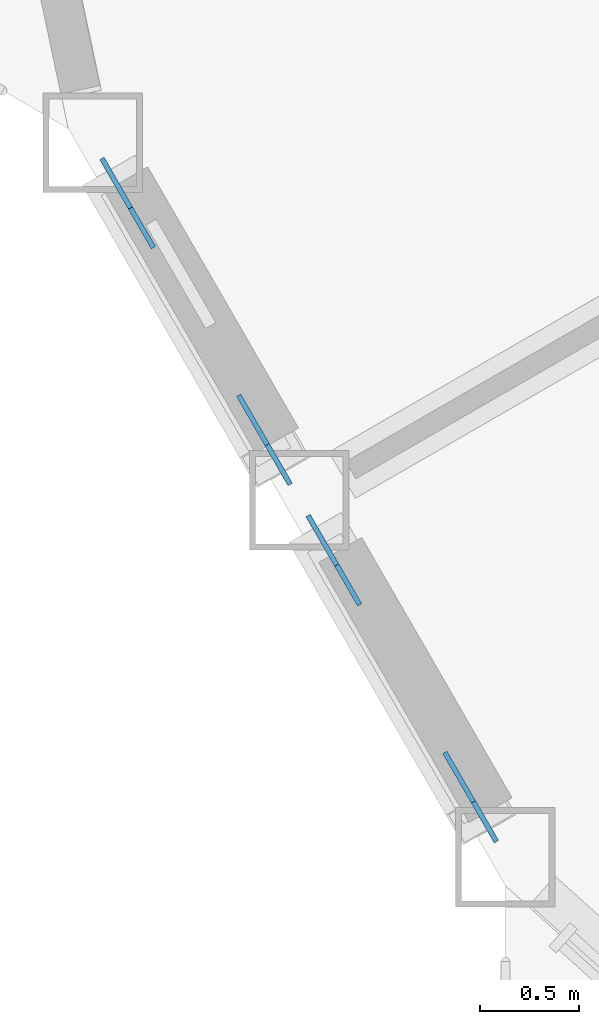
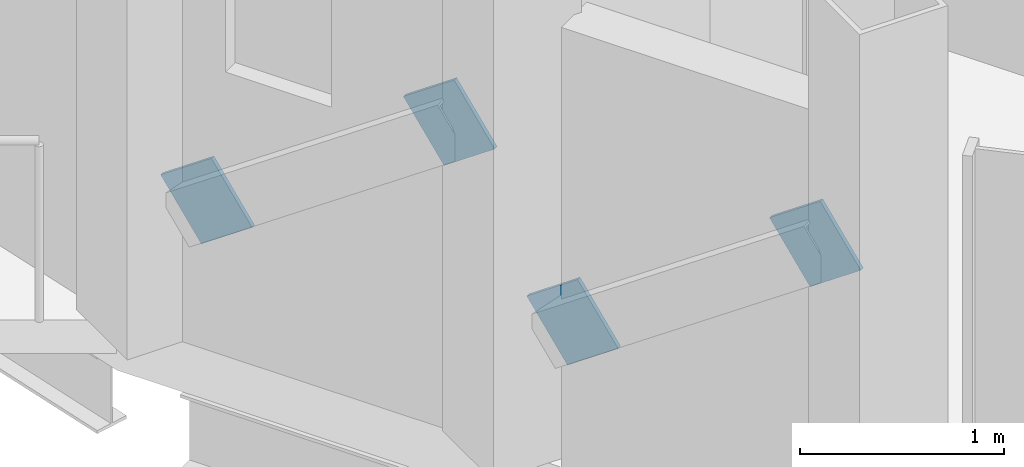
# One storey, part 19 of 26: 4 discrete accessories.
"""IFC4 building model written with IfcOpenShell, lengths in metres."""

import ifcopenshell
import ifcopenshell.guid

model = None  # the IFC model being written
_history = None  # IfcOwnerHistory: only IFC2X3 demands one
_inside = {}  # id of a spatial element -> (the spatial element, [elements in it])
_under = {}  # id of a project, library or spatial element -> (it, [spatial elements below it])
_declared = {}  # id of a project -> (the project, [libraries it declares])
_typed = {}  # id of a type object -> (the type object, [elements of that type])
_made_of = {}  # id of a material, layer set ... -> (it, [elements and type objects made of it])


def new_model(schema):
    """Start an empty IFC model of exactly this schema.

    Asked for "IFC4X3", IfcOpenShell would pick the latest addendum, in which some entities
    have other attributes; the version numbers below select the first issue.
    IFC2X3 requires an IfcOwnerHistory on every rooted entity: one is made here for all.
    """
    global model, _history
    if schema == "IFC4X3":
        model = ifcopenshell.file(schema_version=(4, 3, 0, 0))
    else:
        model = ifcopenshell.file(schema=schema)
    _inside.clear()
    _under.clear()
    _declared.clear()
    _typed.clear()
    _made_of.clear()
    _history = None
    if model.schema == "IFC2X3":
        org = make("IfcOrganization", Name="unknown")
        user = make(
            "IfcPersonAndOrganization",
            ThePerson=make("IfcPerson", FamilyName="unknown"),
            TheOrganization=org,
        )
        app = make(
            "IfcApplication",
            ApplicationDeveloper=org,
            Version="unknown",
            ApplicationFullName="unknown",
            ApplicationIdentifier="unknown",
        )
        _history = make(
            "IfcOwnerHistory",
            OwningUser=user,
            OwningApplication=app,
            ChangeAction="ADDED",
            CreationDate=0,
        )
    return model


def make(cls, **values):
    """One entity of the class cls with the attributes given. An attribute that is None is left unset."""
    return model.create_entity(
        cls, **{name: value for name, value in values.items() if value is not None}
    )


def rooted(cls, **values):
    """An entity with a GlobalId (a new one), such as an element, a storey or a relation."""
    return make(cls, GlobalId=ifcopenshell.guid.new(), OwnerHistory=_history, **values)


def si_unit(unit_type, name, prefix=None):
    """IfcSIUnit, for example si_unit("LENGTHUNIT", "METRE", prefix="MILLI")."""
    return make("IfcSIUnit", UnitType=unit_type, Prefix=prefix, Name=name)


def assignment(units):
    """IfcUnitAssignment: the units of a project."""
    return None if units is None else make("IfcUnitAssignment", Units=units)


def point(xyz):
    """IfcCartesianPoint."""
    return None if xyz is None else make("IfcCartesianPoint", Coordinates=xyz)


def direction(xyz):
    """IfcDirection."""
    return None if xyz is None else make("IfcDirection", DirectionRatios=xyz)


def frame(location, z_axis=None, x_axis=None):
    """IfcAxis2Placement3D, a coordinate frame: its origin and axes. An axis left out is left unset."""
    return make(
        "IfcAxis2Placement3D",
        Location=point(location),
        Axis=direction(z_axis),
        RefDirection=direction(x_axis),
    )


def frame_2d(location, x_axis=None):
    """IfcAxis2Placement2D, a coordinate frame in the plane: its origin and x axis."""
    return make(
        "IfcAxis2Placement2D", Location=point(location), RefDirection=direction(x_axis)
    )


def origin():
    """The frame at (0, 0, 0) with its axes left unset."""
    return frame((0.0, 0.0, 0.0))


def origin_2d():
    """The frame at (0, 0) in the plane with its x axis left unset."""
    return frame_2d((0.0, 0.0))


def place(relative_to, where):
    """IfcLocalPlacement: puts the frame where relative to a parent placement (None: the world)."""
    return make(
        "IfcLocalPlacement", PlacementRelTo=relative_to, RelativePlacement=where
    )


def context(
    kind, dimensions, precision=None, world=None, true_north=None, identifier=None
):
    """IfcGeometricRepresentationContext, for example the 3D "Model" context."""
    return make(
        "IfcGeometricRepresentationContext",
        ContextIdentifier=identifier,
        ContextType=kind,
        CoordinateSpaceDimension=dimensions,
        Precision=precision,
        WorldCoordinateSystem=world,
        TrueNorth=true_north,
    )


def subcontext(parent, identifier, kind, view, scale=None):
    """IfcGeometricRepresentationSubContext, for example "Body" below "Model"."""
    return make(
        "IfcGeometricRepresentationSubContext",
        ContextIdentifier=identifier,
        ContextType=kind,
        ParentContext=parent,
        TargetScale=scale,
        TargetView=view,
    )


def project(units=None, contexts=None):
    """IfcProject with its units and contexts."""
    return rooted(
        "IfcProject",
        Name="project",
        RepresentationContexts=contexts,
        UnitsInContext=assignment(units),
    )


def spatial(cls, under=None, at=None, **own):
    """A site, building, storey or space (cls), placed at a placement, below another one or the project."""
    s = rooted(cls, ObjectPlacement=at, **own)
    if under is not None:
        _under.setdefault(under.id(), (under, []))[1].append(s)
    return s


def profile(cls, at=None, kind="AREA", **sizes):
    """A parametric profile (cls). Its sizes go by their IFC names, for example OverallWidth=200.0."""
    return make(cls, ProfileType=kind, Position=at, **sizes)


def rectangle(**sizes):
    """IfcRectangleProfileDef."""
    return profile("IfcRectangleProfileDef", **sizes)


def extrude(swept, where, along, depth):
    """IfcExtrudedAreaSolid: the profile swept, set in the frame where, extruded along a direction by depth."""
    return make(
        "IfcExtrudedAreaSolid",
        SweptArea=swept,
        Position=where,
        ExtrudedDirection=direction(along),
        Depth=depth,
    )


def shape(context_of_items, identifier, shape_type, items):
    """IfcShapeRepresentation: the items that make up one representation, for example the "Body"."""
    return make(
        "IfcShapeRepresentation",
        ContextOfItems=context_of_items,
        RepresentationIdentifier=identifier,
        RepresentationType=shape_type,
        Items=items,
    )


def material(Name=None, Category=None):
    """IfcMaterial."""
    return make("IfcMaterial", Name=Name, Category=Category)


def material_profile(
    of_material, cross_section, Name=None, Category=None, Priority=None
):
    """IfcMaterialProfile: a cross section and its material."""
    return make(
        "IfcMaterialProfile",
        Name=Name,
        Material=of_material,
        Profile=cross_section,
        Priority=Priority,
        Category=Category,
    )


def profile_set(profiles, Name=None, composite=None):
    """IfcMaterialProfileSet."""
    return make(
        "IfcMaterialProfileSet",
        Name=Name,
        MaterialProfiles=profiles,
        CompositeProfile=composite,
    )


def made_of(thing, what):
    """Note that an element or type object is made of a material, layer set ...; save() writes the relation."""
    if what is not None:
        _made_of.setdefault(what.id(), (what, []))[1].append(thing)
    return thing


def type_object(cls, material=None, **own):
    """A type object (cls), such as IfcWallType, which elements share."""
    return made_of(rooted(cls, **own), material)


def element(
    cls,
    number,
    at=None,
    inside=None,
    cuts=None,
    type_object=None,
    material=None,
    context=None,
    identifier="Body",
    shape_type=None,
    held_by="IfcProductDefinitionShape",
    body=None,
    shapes=None,
    **own,
):
    """One element of the class cls, such as IfcWall. Its Tag is "e" and its number.

    at: its placement. inside: the storey or other place that contains it. cuts: it is an
    opening in that element (IfcRelVoidsElement). A single representation is given by context,
    identifier, shape_type and body (its items); several are given by shapes. held_by: the class
    of the entity that holds the representations. save() writes the other relations.
    """
    e = rooted(cls, Tag="e%d" % number, ObjectPlacement=at, **own)
    if body is not None:
        shapes = [shape(context, identifier, shape_type, body)]
    if shapes is not None:
        e.Representation = make(held_by, Representations=shapes)
    if inside is not None:
        _inside.setdefault(inside.id(), (inside, []))[1].append(e)
    if cuts is not None:
        rooted(
            "IfcRelVoidsElement", RelatingBuildingElement=cuts, RelatedOpeningElement=e
        )
    if type_object is not None:
        _typed.setdefault(type_object.id(), (type_object, []))[1].append(e)
    return made_of(e, material)


def aggregate(whole, parts):
    """IfcRelAggregates: a whole, such as a stair, and the parts it consists of."""
    return rooted("IfcRelAggregates", RelatingObject=whole, RelatedObjects=parts)


def save(model, path):
    """Write the relations noted so far, then the file.

    IfcRelAggregates (storeys below a building ...), IfcRelContainedInSpatialStructure (elements
    in a storey), IfcRelDefinesByType, IfcRelAssociatesMaterial and IfcRelDeclares: one each for
    every whole, place, type object, material and project.
    """
    for whole, parts in _under.values():
        aggregate(whole, parts)
    for where, things in _inside.values():
        rooted(
            "IfcRelContainedInSpatialStructure",
            RelatedElements=things,
            RelatingStructure=where,
        )
    for kind, things in _typed.values():
        rooted("IfcRelDefinesByType", RelatedObjects=things, RelatingType=kind)
    for what, things in _made_of.values():
        rooted("IfcRelAssociatesMaterial", RelatedObjects=things, RelatingMaterial=what)
    for by, libraries in _declared.values():
        rooted("IfcRelDeclares", RelatingContext=by, RelatedDefinitions=libraries)
    model.write(path)


model = new_model("IFC4")

# Units and contexts
model_context = context("Model", 3, precision=1e-05, world=origin(), true_north=direction((0.0, 1.0)))
body_context = subcontext(model_context, "Body", "Model", "MODEL_VIEW")
ifc_project = project(units=[si_unit("LENGTHUNIT", "METRE"), si_unit("AREAUNIT", "SQUARE_METRE"), si_unit("VOLUMEUNIT", "CUBIC_METRE"), si_unit("PLANEANGLEUNIT", "RADIAN"), si_unit("MASSUNIT", "GRAM", prefix="KILO")], contexts=[model_context])

# Site, building, storey
site_placement = place(None, origin())
site = spatial("IfcSite", under=ifc_project, at=site_placement, CompositionType="ELEMENT")
building_placement = place(site_placement, origin())
building = spatial("IfcBuilding", under=site, at=building_placement, Name="Cormorant Prow Tower", CompositionType="ELEMENT")
storey_placement = place(building_placement, frame((0.0, 0.0, 398.39990234375)))
storey = spatial("IfcBuildingStorey", under=building, at=storey_placement, Name="L91", CompositionType="ELEMENT", Elevation=398.39990234375)

# Discrete accessories
ifc_material = material(Name="Structural steel ASTM A500 Gr C", Category="steel")
ifc_material_profile = material_profile(ifc_material, rectangle(XDim=0.02490234375, YDim=0.405029296875, at=origin_2d()), Name="Gusset plate 25x405")
ifc_profile_set = profile_set([ifc_material_profile], Name="Structural steel ASTM A500 Gr C")
discrete_accessory_type = type_object("IfcDiscreteAccessoryType", Name="Gusset plate 25x405", PredefinedType="BRACKET", material=ifc_profile_set)
discrete_accessory_1_placement = place(storey_placement, frame((-27.8271484375, -14.2412109375, 0.94140625), z_axis=(-0.410852891059, 0.712191514043, -0.569195176748), x_axis=(-0.866199709737, -0.499697971631, 0.0)))
element("IfcDiscreteAccessory", 1, at=discrete_accessory_1_placement, inside=storey, type_object=discrete_accessory_type, Name="Gusset plate GP3 L91.WSW00.g0", PredefinedType="BRACKET", context=body_context, shape_type="SweptSolid", body=[
    extrude(rectangle(XDim=0.02490234375, YDim=0.405029296875, at=origin_2d()), origin(), (0.0, 0.0, 1.0), 0.35009765625),
])
discrete_accessory_2_placement = place(storey_placement, frame((-27.28369140625, -15.182373046875, 1.69287109375), z_axis=(0.411595697368, -0.712269842394, 0.568560158228), x_axis=(0.865832418869, 0.500334110806, 0.0)))
element("IfcDiscreteAccessory", 2, at=discrete_accessory_2_placement, inside=storey, type_object=discrete_accessory_type, Name="Gusset plate GP3 L91.WSW00.g1", PredefinedType="BRACKET", context=body_context, shape_type="SweptSolid", body=[
    extrude(rectangle(XDim=0.02490234375, YDim=0.405029296875, at=origin_2d()), origin(), (0.0, 0.0, 1.0), 0.349853515625),
])
discrete_accessory_3_placement = place(storey_placement, frame((-26.7900390625, -16.037109375, 0.94140625), z_axis=(-0.411432439557, 0.711987323368, -0.5690319842), x_axis=(-0.865832418869, -0.500334110806, 0.0)))
element("IfcDiscreteAccessory", 3, at=discrete_accessory_3_placement, inside=storey, type_object=discrete_accessory_type, Name="Gusset plate GP3 L91.WSW01.g0", PredefinedType="BRACKET", context=body_context, shape_type="SweptSolid", body=[
    extrude(rectangle(XDim=0.02490234375, YDim=0.405029296875, at=origin_2d()), origin(), (0.0, 0.0, 1.0), 0.35009765625),
])
discrete_accessory_4_placement = place(storey_placement, frame((-26.246826171875, -16.978271484375, 1.69287109375), z_axis=(0.411595697368, -0.712269842394, 0.568560158228), x_axis=(0.865832418869, 0.500334110806, 0.0)))
element("IfcDiscreteAccessory", 4, at=discrete_accessory_4_placement, inside=storey, type_object=discrete_accessory_type, Name="Gusset plate GP3 L91.WSW01.g1", PredefinedType="BRACKET", context=body_context, shape_type="SweptSolid", body=[
    extrude(rectangle(XDim=0.02490234375, YDim=0.405029296875, at=origin_2d()), origin(), (0.0, 0.0, 1.0), 0.349853515625),
])

save(model, "model.ifc")
